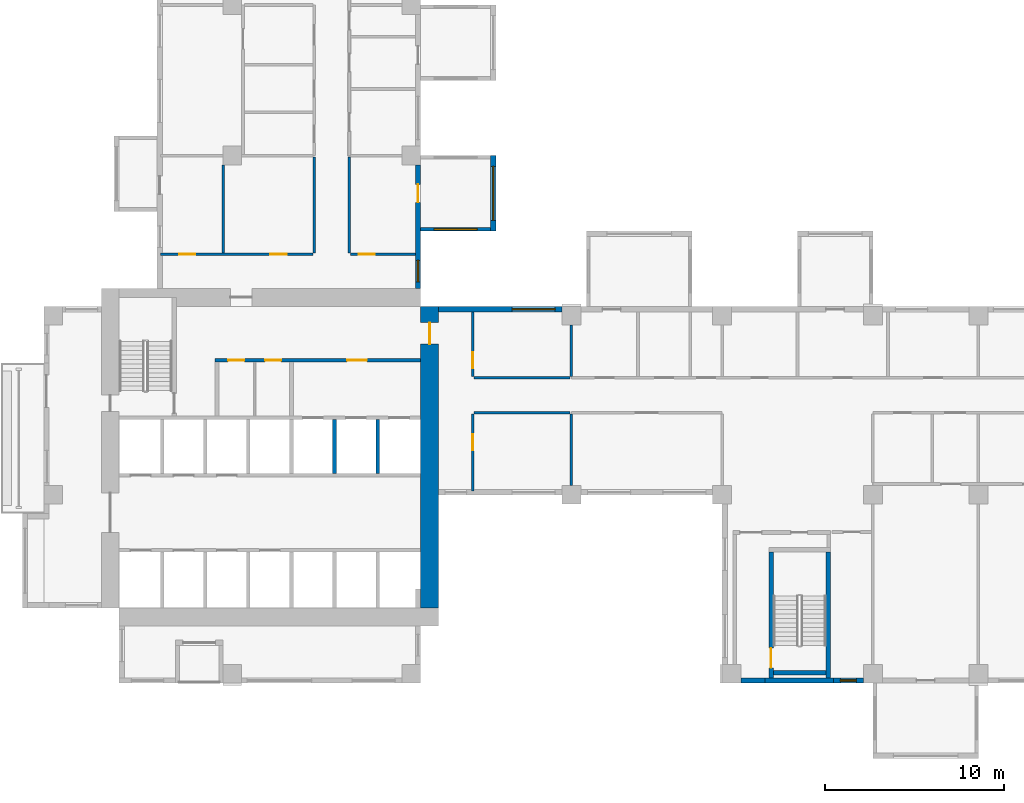
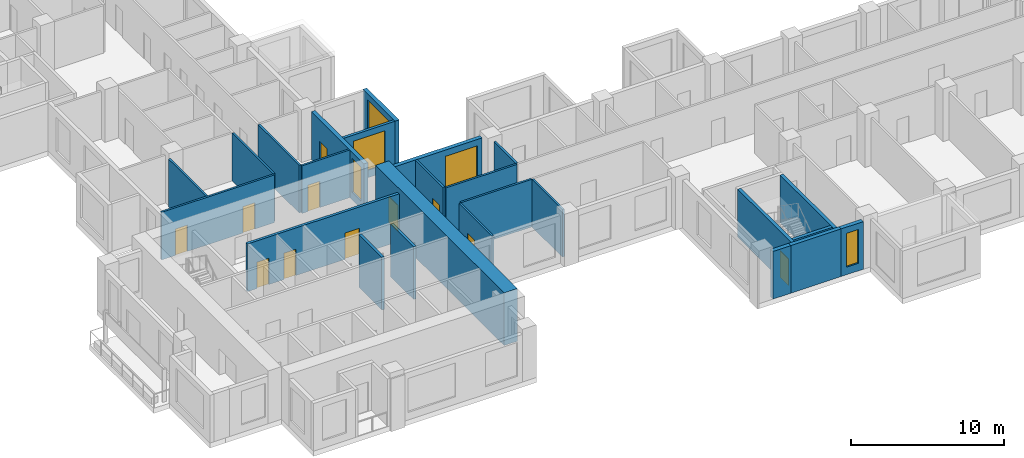
# One storey, part 3 of 14: 25 walls, 11 doors, 5 windows, 16 openings.
"""IFC4 building model written with IfcOpenShell, lengths in metres."""

from ifc_helpers import new_model, si_unit, direction, frame, frame_2d, origin, place, context, subcontext, project, spatial, rectangle, extrude, source, transform, mapped, material, layer, layer_set, type_object, element, fill, save


model = new_model("IFC4")

# Units and contexts
model_context = context("Model", 3, precision=1e-05, world=origin(), true_north=direction((0.0, 1.0)))
body_context = subcontext(model_context, "Body", "Model", "MODEL_VIEW")
ifc_project = project(units=[si_unit("LENGTHUNIT", "METRE"), si_unit("AREAUNIT", "SQUARE_METRE"), si_unit("VOLUMEUNIT", "CUBIC_METRE"), si_unit("PLANEANGLEUNIT", "RADIAN"), si_unit("MASSUNIT", "GRAM", prefix="KILO")], contexts=[model_context])

# Site, building, storey
site_placement = place(None, origin())
site = spatial("IfcSite", under=ifc_project, at=site_placement, CompositionType="ELEMENT")
building_placement = place(site_placement, origin())
building = spatial("IfcBuilding", under=site, at=building_placement, Name="Aurelian Terraces", CompositionType="ELEMENT")
storey_placement = place(building_placement, frame((0.0, 0.0, 149.7)))
storey = spatial("IfcBuildingStorey", under=building, at=storey_placement, Name="L33", CompositionType="ELEMENT", Elevation=149.7)

# Wall
ifc_material_1 = material(Name="Gypsum board on steel studs", Category="steel")
ifc_layer_1 = layer(ifc_material_1, 0.15)
ifc_layer_set_1 = layer_set([ifc_layer_1], Name="Partition 150")
wall_type_1 = type_object("IfcWallType", Name="Partition 150", PredefinedType="PARTITIONING", material=ifc_layer_set_1)
wall_1_placement = place(storey_placement, frame((10.0, 23.975, 0.0), z_axis=(0.0, 0.0, 1.0), x_axis=(0.0, 1.0, 0.0)))
element("IfcWall", 1, at=wall_1_placement, inside=storey, type_object=wall_type_1, Name="Partition", PredefinedType="PARTITIONING", context=body_context, shape_type="SweptSolid", body=[
    extrude(rectangle(XDim=4.901, YDim=0.15, at=frame_2d((2.4505, 0.0))), origin(), (0.0, 0.0, 1.0), 3.8),
])

# Wall, opening, door
ifc_material_2 = material(Name="Concrete fc' 83 MPa", Category="concrete")
ifc_layer_2 = layer(ifc_material_2, 1.0)
ifc_layer_set_2 = layer_set([ifc_layer_2], Name="CORE WALL 1000 FC83")
wall_type_2 = type_object("IfcWallType", Name="CORE WALL 1000 FC83", PredefinedType="SHEAR", material=ifc_layer_set_2)
shared_shape_1 = source(origin(), body_context, "Body", "SweptSolid", [
    extrude(rectangle(XDim=16.8, YDim=1.0, at=frame_2d((8.4, 0.0))), origin(), (0.0, 0.0, 1.0), 4.2),
])
wall_2_placement = place(storey_placement, frame((21.5, 4.2, 0.0), z_axis=(0.0, 0.0, 1.0), x_axis=(0.0, 1.0, 0.0)))
wall_2 = element("IfcWall", 2, at=wall_2_placement, inside=storey, type_object=wall_type_2, Name="Core wall E L33", PredefinedType="SHEAR", context=body_context, shape_type="MappedRepresentation", body=[
    mapped(shared_shape_1, transform((0.0, 0.0, 0.0), scale=1.0)),
])
shared_shape_2 = source(origin(), body_context, "Body", "SweptSolid", [
    extrude(rectangle(XDim=1.2, YDim=2.1, at=frame_2d((0.6, 1.05))), frame((0.0, 0.51, 0.0), z_axis=(0.0, -1.0, 0.0), x_axis=(1.0, 0.0, 0.0)), (0.0, 0.0, 1.0), 1.02),
])
opening_1_placement = place(wall_2_placement, frame((14.7, 0.0, 0.0)))
opening_1 = element("IfcOpeningElement", 3, at=opening_1_placement, cuts=wall_2, Name="Opening 63622", PredefinedType="OPENING", context=body_context, shape_type="MappedRepresentation", body=[
    mapped(shared_shape_2, transform((0.0, 0.0, 0.0), scale=1.0)),
])
ifc_material_3 = material(Name="Steel door leaf", Category="steel")
door_type_1 = type_object("IfcDoorType", Name="Core fire door 1200x2100", OperationType="SINGLE_SWING_LEFT", PredefinedType="DOOR", material=ifc_material_3)
shared_shape_3 = source(origin(), body_context, "Body", "SweptSolid", [
    extrude(rectangle(XDim=1.2, YDim=2.1, at=frame_2d((0.6, 1.05))), frame((0.0, 0.025, 0.0), z_axis=(0.0, -1.0, 0.0), x_axis=(1.0, 0.0, 0.0)), (0.0, 0.0, 1.0), 0.05),
])
door_1_placement = place(opening_1_placement, origin())
door_1 = element("IfcDoor", 4, at=door_1_placement, inside=storey, type_object=door_type_1, Name="Core door 63622", OperationType="SINGLE_SWING_LEFT", OverallHeight=2.1, OverallWidth=1.2, PredefinedType="DOOR", context=body_context, shape_type="MappedRepresentation", body=[
    mapped(shared_shape_3, transform((0.0, 0.0, 0.0), scale=1.0)),
])
fill(opening_1, door_1)

# Wall
ifc_material_4 = material(Name="Concrete fc' 40 MPa", Category="concrete")
ifc_layer_3 = layer(ifc_material_4, 0.3)
ifc_layer_set_3 = layer_set([ifc_layer_3], Name="STAIR BAY WALL 300")
wall_type_3 = type_object("IfcWallType", Name="STAIR BAY WALL 300", PredefinedType="SOLIDWALL", material=ifc_layer_set_3)
shared_shape_4 = source(origin(), body_context, "Body", "SweptSolid", [
    extrude(rectangle(XDim=3.8, YDim=0.3, at=frame_2d((1.9, 0.0))), origin(), (0.0, 0.0, 1.0), 3.8),
])
wall_3_placement = place(storey_placement, frame((40.2, 0.15, 0.0), z_axis=(0.0, 0.0, 1.0), x_axis=(1.0, 0.0, 0.0)))
element("IfcWall", 5, at=wall_3_placement, inside=storey, type_object=wall_type_3, Name="Stair bay wall L33 F05.9", PredefinedType="SOLIDWALL", context=body_context, shape_type="MappedRepresentation", body=[
    mapped(shared_shape_4, transform((0.0, 0.0, 0.0), scale=1.0)),
])

# Wall, opening, window
ifc_layer_4 = layer(ifc_material_4, 0.2)
ifc_layer_set_4 = layer_set([ifc_layer_4], Name="BOX BEARING WALL 200")
wall_type_4 = type_object("IfcWallType", Name="BOX BEARING WALL 200", PredefinedType="SOLIDWALL", material=ifc_layer_set_4)
shared_shape_5 = source(origin(), body_context, "Body", "SweptSolid", [
    extrude(rectangle(XDim=3.9, YDim=0.2, at=frame_2d((1.95, 0.0))), origin(), (0.0, 0.0, 1.0), 3.79),
])
wall_4_placement = place(storey_placement, frame((21.0, 25.3, 0.0), z_axis=(0.0, 0.0, 1.0), x_axis=(1.0, 0.0, 0.0)))
wall_4 = element("IfcWall", 6, at=wall_4_placement, inside=storey, type_object=wall_type_4, Name="Box return L33 J49.1", PredefinedType="SOLIDWALL", context=body_context, shape_type="MappedRepresentation", body=[
    mapped(shared_shape_5, transform((0.0, 0.0, 0.0), scale=1.0)),
])
shared_shape_6 = source(origin(), body_context, "Body", "SweptSolid", [
    extrude(rectangle(XDim=2.4, YDim=2.7, at=frame_2d((1.2, 1.35))), frame((0.0, 0.11, 0.0), z_axis=(0.0, -1.0, 0.0), x_axis=(1.0, 0.0, 0.0)), (0.0, 0.0, 1.0), 0.22),
])
opening_2_placement = place(wall_4_placement, frame((0.75, 0.0, 0.6)))
opening_2 = element("IfcOpeningElement", 7, at=opening_2_placement, cuts=wall_4, Name="Opening W2427", PredefinedType="OPENING", context=body_context, shape_type="MappedRepresentation", body=[
    mapped(shared_shape_6, transform((0.0, 0.0, 0.0), scale=1.0)),
])
ifc_material_5 = material(Name="Clear glazing", Category="glass")
window_type_1 = type_object("IfcWindowType", Name="W-2400x2700", PartitioningType="SINGLE_PANEL", PredefinedType="WINDOW", material=ifc_material_5)
shared_shape_7 = source(origin(), body_context, "Body", "SweptSolid", [
    extrude(rectangle(XDim=2.4, YDim=2.7, at=frame_2d((1.2, 1.35))), frame((0.0, 0.03, 0.0), z_axis=(0.0, -1.0, 0.0), x_axis=(1.0, 0.0, 0.0)), (0.0, 0.0, 1.0), 0.06),
])
window_1_placement = place(opening_2_placement, origin())
window_1 = element("IfcWindow", 8, at=window_1_placement, inside=storey, type_object=window_type_1, Name="Window L33 J49-S1", OverallHeight=2.7, OverallWidth=2.4, PartitioningType="SINGLE_PANEL", PredefinedType="WINDOW", context=body_context, shape_type="MappedRepresentation", body=[
    mapped(shared_shape_7, transform((0.0, 0.0, 0.0), scale=1.0)),
])
fill(opening_2, window_1)

ifc_layer_5 = layer(ifc_material_4, 0.3)
ifc_layer_set_5 = layer_set([ifc_layer_5], Name="BOX BEARING WALL 300")
wall_type_5 = type_object("IfcWallType", Name="BOX BEARING WALL 300", PredefinedType="SOLIDWALL", material=ifc_layer_set_5)
shared_shape_8 = source(origin(), body_context, "Body", "SweptSolid", [
    extrude(rectangle(XDim=4.2, YDim=0.3, at=frame_2d((2.1, 0.0))), origin(), (0.0, 0.0, 1.0), 3.79),
])
wall_5_placement = place(storey_placement, frame((25.05, 25.2, 0.0), z_axis=(0.0, 0.0, 1.0), x_axis=(0.0, 1.0, 0.0)))
wall_5 = element("IfcWall", 9, at=wall_5_placement, inside=storey, type_object=wall_type_5, Name="Box wall L33 J49", PredefinedType="SOLIDWALL", context=body_context, shape_type="MappedRepresentation", body=[
    mapped(shared_shape_8, transform((0.0, 0.0, 0.0), scale=1.0)),
])
shared_shape_9 = source(origin(), body_context, "Body", "SweptSolid", [
    extrude(rectangle(XDim=3.0, YDim=2.7, at=frame_2d((1.5, 1.35))), frame((0.0, 0.16, 0.0), z_axis=(0.0, -1.0, 0.0), x_axis=(1.0, 0.0, 0.0)), (0.0, 0.0, 1.0), 0.32),
])
opening_3_placement = place(wall_5_placement, frame((0.6, 0.0, 0.6)))
opening_3 = element("IfcOpeningElement", 10, at=opening_3_placement, cuts=wall_5, Name="Opening W3027", PredefinedType="OPENING", context=body_context, shape_type="MappedRepresentation", body=[
    mapped(shared_shape_9, transform((0.0, 0.0, 0.0), scale=1.0)),
])
window_type_2 = type_object("IfcWindowType", Name="W-3000x2700", PartitioningType="SINGLE_PANEL", PredefinedType="WINDOW", material=ifc_material_5)
shared_shape_10 = source(origin(), body_context, "Body", "SweptSolid", [
    extrude(rectangle(XDim=3.0, YDim=2.7, at=frame_2d((1.5, 1.35))), frame((0.0, 0.03, 0.0), z_axis=(0.0, -1.0, 0.0), x_axis=(1.0, 0.0, 0.0)), (0.0, 0.0, 1.0), 0.06),
])
window_2_placement = place(opening_3_placement, origin())
window_2 = element("IfcWindow", 11, at=window_2_placement, inside=storey, type_object=window_type_2, Name="Window L33 J49-F1", OverallHeight=2.7, OverallWidth=3.0, PartitioningType="SINGLE_PANEL", PredefinedType="WINDOW", context=body_context, shape_type="MappedRepresentation", body=[
    mapped(shared_shape_10, transform((0.0, 0.0, 0.0), scale=1.0)),
])
fill(opening_3, window_2)

ifc_material_6 = material(Name="Terracotta rainscreen cladding", Category="masonry")
ifc_layer_6 = layer(ifc_material_6, 0.3)
ifc_layer_set_6 = layer_set([ifc_layer_6], Name="EW-300")
wall_type_6 = type_object("IfcWallType", Name="EW-300", PredefinedType="STANDARD", material=ifc_layer_set_6)
shared_shape_11 = source(origin(), body_context, "Body", "SweptSolid", [
    extrude(rectangle(XDim=6.875, YDim=0.3, at=frame_2d((3.4375, 0.0))), origin(), (0.0, 0.0, 1.0), 3.8),
])
wall_6_placement = place(storey_placement, frame((28.875, 20.85, 0.0), z_axis=(0.0, 0.0, 1.0), x_axis=(-1.0, 0.0, 0.0)))
wall_6 = element("IfcWall", 12, at=wall_6_placement, inside=storey, type_object=wall_type_6, Name="External wall L33 F11.23", PredefinedType="STANDARD", context=body_context, shape_type="MappedRepresentation", body=[
    mapped(shared_shape_11, transform((0.0, 0.0, 0.0), scale=1.0)),
])
shared_shape_12 = source(origin(), body_context, "Body", "SweptSolid", [
    extrude(rectangle(XDim=2.4, YDim=2.7, at=frame_2d((1.2, 1.35))), frame((0.0, 0.16, 0.0), z_axis=(0.0, -1.0, 0.0), x_axis=(1.0, 0.0, 0.0)), (0.0, 0.0, 1.0), 0.32),
])
opening_4_placement = place(wall_6_placement, frame((0.375, 0.0, 0.6)))
opening_4 = element("IfcOpeningElement", 13, at=opening_4_placement, cuts=wall_6, Name="Opening W2427", PredefinedType="OPENING", context=body_context, shape_type="MappedRepresentation", body=[
    mapped(shared_shape_12, transform((0.0, 0.0, 0.0), scale=1.0)),
])
window_3_placement = place(opening_4_placement, origin())
window_3 = element("IfcWindow", 14, at=window_3_placement, inside=storey, type_object=window_type_1, Name="Window L33 L33-F11-23-3", OverallHeight=2.7, OverallWidth=2.4, PartitioningType="SINGLE_PANEL", PredefinedType="WINDOW", context=body_context, shape_type="MappedRepresentation", body=[
    mapped(shared_shape_7, transform((0.0, 0.0, 0.0), scale=1.0)),
])
fill(opening_4, window_3)

# Wall, openings, window, door
wall_7_placement = place(storey_placement, frame((20.85, 22.0, 0.0), z_axis=(0.0, 0.0, 1.0), x_axis=(0.0, 1.0, 0.0)))
wall_7 = element("IfcWall", 15, at=wall_7_placement, inside=storey, type_object=wall_type_6, Name="External wall L33 F12.24", PredefinedType="STANDARD", context=body_context, shape_type="MappedRepresentation", body=[
    mapped(shared_shape_11, transform((0.0, 0.0, 0.0), scale=1.0)),
])
shared_shape_13 = source(origin(), body_context, "Body", "SweptSolid", [
    extrude(rectangle(XDim=1.2, YDim=2.7, at=frame_2d((0.6, 1.35))), frame((0.0, 0.16, 0.0), z_axis=(0.0, -1.0, 0.0), x_axis=(1.0, 0.0, 0.0)), (0.0, 0.0, 1.0), 0.32),
])
opening_5_placement = place(wall_7_placement, frame((0.3625, 0.0, 0.6)))
opening_5 = element("IfcOpeningElement", 16, at=opening_5_placement, cuts=wall_7, Name="Opening W1227", PredefinedType="OPENING", context=body_context, shape_type="MappedRepresentation", body=[
    mapped(shared_shape_13, transform((0.0, 0.0, 0.0), scale=1.0)),
])
shared_shape_14 = source(origin(), body_context, "Body", "SweptSolid", [
    extrude(rectangle(XDim=1.0, YDim=2.1, at=frame_2d((0.5, 1.05))), frame((0.0, 0.16, 0.0), z_axis=(0.0, -1.0, 0.0), x_axis=(1.0, 0.0, 0.0)), (0.0, 0.0, 1.0), 0.32),
])
opening_6_placement = place(wall_7_placement, frame((4.8, 0.0, 0.0)))
opening_6 = element("IfcOpeningElement", 17, at=opening_6_placement, cuts=wall_7, Name="Opening 833005", PredefinedType="OPENING", context=body_context, shape_type="MappedRepresentation", body=[
    mapped(shared_shape_14, transform((0.0, 0.0, 0.0), scale=1.0)),
])
window_type_3 = type_object("IfcWindowType", Name="W-1200x2700", PartitioningType="SINGLE_PANEL", PredefinedType="WINDOW", material=ifc_material_5)
shared_shape_15 = source(origin(), body_context, "Body", "SweptSolid", [
    extrude(rectangle(XDim=1.2, YDim=2.7, at=frame_2d((0.6, 1.35))), frame((0.0, 0.03, 0.0), z_axis=(0.0, -1.0, 0.0), x_axis=(1.0, 0.0, 0.0)), (0.0, 0.0, 1.0), 0.06),
])
window_4_placement = place(opening_5_placement, origin())
window_4 = element("IfcWindow", 18, at=window_4_placement, inside=storey, type_object=window_type_3, Name="Window L33 L33-F12-24-0", OverallHeight=2.7, OverallWidth=1.2, PartitioningType="SINGLE_PANEL", PredefinedType="WINDOW", context=body_context, shape_type="MappedRepresentation", body=[
    mapped(shared_shape_15, transform((0.0, 0.0, 0.0), scale=1.0)),
])
fill(opening_5, window_4)
ifc_material_7 = material(Name="Timber door leaf", Category="wood")
door_type_2 = type_object("IfcDoorType", Name="Room door 1000x2100 left", OperationType="SINGLE_SWING_LEFT", PredefinedType="DOOR", material=ifc_material_7)
shared_shape_16 = source(origin(), body_context, "Body", "SweptSolid", [
    extrude(rectangle(XDim=1.0, YDim=2.1, at=frame_2d((0.5, 1.05))), frame((0.0, 0.025, 0.0), z_axis=(0.0, -1.0, 0.0), x_axis=(1.0, 0.0, 0.0)), (0.0, 0.0, 1.0), 0.05),
])
door_2_placement = place(opening_6_placement, origin())
door_2 = element("IfcDoor", 19, at=door_2_placement, inside=storey, type_object=door_type_2, Name="Door 833005", OperationType="SINGLE_SWING_LEFT", OverallHeight=2.1, OverallWidth=1.0, PredefinedType="DOOR", context=body_context, shape_type="MappedRepresentation", body=[
    mapped(shared_shape_16, transform((0.0, 0.0, 0.0), scale=1.0)),
])
fill(opening_6, door_2)

# Wall, opening, window
shared_shape_17 = source(origin(), body_context, "Body", "SweptSolid", [
    extrude(rectangle(XDim=1.675, YDim=0.3, at=frame_2d((0.8375, 0.0))), origin(), (0.0, 0.0, 1.0), 3.8),
])
wall_8_placement = place(storey_placement, frame((44.0, 0.15, 0.0), z_axis=(0.0, 0.0, 1.0), x_axis=(1.0, 0.0, 0.0)))
wall_8 = element("IfcWall", 20, at=wall_8_placement, inside=storey, type_object=wall_type_6, Name="External wall L33 F05.9", PredefinedType="STANDARD", context=body_context, shape_type="MappedRepresentation", body=[
    mapped(shared_shape_17, transform((0.0, 0.0, 0.0), scale=1.0)),
])
shared_shape_18 = source(origin(), body_context, "Body", "SweptSolid", [
    extrude(rectangle(XDim=0.9, YDim=2.7, at=frame_2d((0.45, 1.35))), frame((0.0, 0.16, 0.0), z_axis=(0.0, -1.0, 0.0), x_axis=(1.0, 0.0, 0.0)), (0.0, 0.0, 1.0), 0.32),
])
opening_7_placement = place(wall_8_placement, frame((0.3875, 0.0, 0.6)))
opening_7 = element("IfcOpeningElement", 21, at=opening_7_placement, cuts=wall_8, Name="Opening W0927", PredefinedType="OPENING", context=body_context, shape_type="MappedRepresentation", body=[
    mapped(shared_shape_18, transform((0.0, 0.0, 0.0), scale=1.0)),
])
window_type_4 = type_object("IfcWindowType", Name="W-900x2700", PartitioningType="SINGLE_PANEL", PredefinedType="WINDOW", material=ifc_material_5)
shared_shape_19 = source(origin(), body_context, "Body", "SweptSolid", [
    extrude(rectangle(XDim=0.9, YDim=2.7, at=frame_2d((0.45, 1.35))), frame((0.0, 0.03, 0.0), z_axis=(0.0, -1.0, 0.0), x_axis=(1.0, 0.0, 0.0)), (0.0, 0.0, 1.0), 0.06),
])
window_5_placement = place(opening_7_placement, origin())
window_5 = element("IfcWindow", 22, at=window_5_placement, inside=storey, type_object=window_type_4, Name="Window L33 L33-F05-09-P2", OverallHeight=2.7, OverallWidth=0.9, PartitioningType="SINGLE_PANEL", PredefinedType="WINDOW", context=body_context, shape_type="MappedRepresentation", body=[
    mapped(shared_shape_19, transform((0.0, 0.0, 0.0), scale=1.0)),
])
fill(opening_7, window_5)

# Walls
shared_shape_20 = source(origin(), body_context, "Body", "SweptSolid", [
    extrude(rectangle(XDim=1.35, YDim=0.3, at=frame_2d((0.675, 0.0))), origin(), (0.0, 0.0, 1.0), 3.8),
])
wall_9_placement = place(storey_placement, frame((38.85, 0.15, 0.0), z_axis=(0.0, 0.0, 1.0), x_axis=(1.0, 0.0, 0.0)))
element("IfcWall", 23, at=wall_9_placement, inside=storey, type_object=wall_type_6, Name="External wall L33 F05.9", PredefinedType="STANDARD", context=body_context, shape_type="MappedRepresentation", body=[
    mapped(shared_shape_20, transform((0.0, 0.0, 0.0), scale=1.0)),
])
ifc_layer_7 = layer(ifc_material_4, 0.2)
ifc_layer_set_7 = layer_set([ifc_layer_7], Name="Lift shaft wall 200")
wall_type_7 = type_object("IfcWallType", Name="Lift shaft wall 200", PredefinedType="SOLIDWALL", material=ifc_layer_set_7)
shared_shape_21 = source(origin(), body_context, "Body", "SweptSolid", [
    extrude(rectangle(XDim=3.0, YDim=0.2, at=frame_2d((1.5, 0.0))), origin(), (0.0, 0.0, 1.0), 4.2),
])
for number, where, z_axis, x_axis, name in (
    (24, (16.2, 11.7, 0.0), (0.0, 0.0, 1.0), (0.0, 1.0, 0.0), "L33 core wall CD-B5"),
    (25, (18.6, 11.7, 0.0), (0.0, 0.0, 1.0), (0.0, 1.0, 0.0), "L33 core wall CD-B6"),
):
    element("IfcWall", number, at=place(storey_placement, frame(where, z_axis=z_axis, x_axis=x_axis)), inside=storey, type_object=wall_type_7, Name=name, PredefinedType="SOLIDWALL", context=body_context, shape_type="MappedRepresentation", body=[
        mapped(shared_shape_21, transform((0.0, 0.0, 0.0), scale=1.0)),
    ])

# Wall, opening, door
ifc_layer_8 = layer(ifc_material_4, 0.25)
ifc_layer_set_8 = layer_set([ifc_layer_8], Name="Stair enclosure wall 250")
wall_type_8 = type_object("IfcWallType", Name="Stair enclosure wall 250", PredefinedType="SOLIDWALL", material=ifc_layer_set_8)
shared_shape_22 = source(origin(), body_context, "Body", "SweptSolid", [
    extrude(rectangle(XDim=7.0, YDim=0.25, at=frame_2d((3.5, 0.0))), origin(), (0.0, 0.0, 1.0), 3.8),
])
wall_10_placement = place(storey_placement, frame((40.525, 0.3, 0.0), z_axis=(0.0, 0.0, 1.0), x_axis=(0.0, 1.0, 0.0)))
wall_10 = element("IfcWall", 26, at=wall_10_placement, inside=storey, type_object=wall_type_8, Name="L33 core wall ST-S2-W", PredefinedType="SOLIDWALL", context=body_context, shape_type="MappedRepresentation", body=[
    mapped(shared_shape_22, transform((0.0, 0.0, 0.0), scale=1.0)),
])
shared_shape_23 = source(origin(), body_context, "Body", "SweptSolid", [
    extrude(rectangle(XDim=1.1, YDim=2.1, at=frame_2d((0.55, 1.05))), frame((0.0, 0.135, 0.0), z_axis=(0.0, -1.0, 0.0), x_axis=(1.0, 0.0, 0.0)), (0.0, 0.0, 1.0), 0.27),
])
opening_8_placement = place(wall_10_placement, frame((0.55, 0.0, 0.0)))
opening_8 = element("IfcOpeningElement", 27, at=opening_8_placement, cuts=wall_10, Name="Opening 63614", PredefinedType="OPENING", context=body_context, shape_type="MappedRepresentation", body=[
    mapped(shared_shape_23, transform((0.0, 0.0, 0.0), scale=1.0)),
])
door_type_3 = type_object("IfcDoorType", Name="Core fire door 1100x2100", OperationType="SINGLE_SWING_LEFT", PredefinedType="DOOR", material=ifc_material_3)
shared_shape_24 = source(origin(), body_context, "Body", "SweptSolid", [
    extrude(rectangle(XDim=1.1, YDim=2.1, at=frame_2d((0.55, 1.05))), frame((0.0, 0.025, 0.0), z_axis=(0.0, -1.0, 0.0), x_axis=(1.0, 0.0, 0.0)), (0.0, 0.0, 1.0), 0.05),
])
door_3_placement = place(opening_8_placement, origin())
door_3 = element("IfcDoor", 28, at=door_3_placement, inside=storey, type_object=door_type_3, Name="Stair door 63614", OperationType="SINGLE_SWING_LEFT", OverallHeight=2.1, OverallWidth=1.1, PredefinedType="DOOR", context=body_context, shape_type="MappedRepresentation", body=[
    mapped(shared_shape_24, transform((0.0, 0.0, 0.0), scale=1.0)),
])
fill(opening_8, door_3)

# Walls
wall_11_placement = place(storey_placement, frame((43.725, 0.3, 0.0), z_axis=(0.0, 0.0, 1.0), x_axis=(0.0, 1.0, 0.0)))
element("IfcWall", 29, at=wall_11_placement, inside=storey, type_object=wall_type_8, Name="L33 core wall ST-S2-E", PredefinedType="SOLIDWALL", context=body_context, shape_type="MappedRepresentation", body=[
    mapped(shared_shape_22, transform((0.0, 0.0, 0.0), scale=1.0)),
])
shared_shape_25 = source(origin(), body_context, "Body", "SweptSolid", [
    extrude(rectangle(XDim=2.95, YDim=0.25, at=frame_2d((1.475, 0.0))), origin(), (0.0, 0.0, 1.0), 3.8),
])
wall_12_placement = place(storey_placement, frame((40.65, 0.575, 0.0), z_axis=(0.0, 0.0, 1.0), x_axis=(1.0, 0.0, 0.0)))
element("IfcWall", 30, at=wall_12_placement, inside=storey, type_object=wall_type_8, Name="L33 core wall ST-S2-SS", PredefinedType="SOLIDWALL", context=body_context, shape_type="MappedRepresentation", body=[
    mapped(shared_shape_25, transform((0.0, 0.0, 0.0), scale=1.0)),
])

# Wall, openings, doors
ifc_layer_9 = layer(ifc_material_1, 0.2)
ifc_layer_set_9 = layer_set([ifc_layer_9], Name="Core partition 200")
wall_type_9 = type_object("IfcWallType", Name="Core partition 200", PredefinedType="PARTITIONING", material=ifc_layer_set_9)
shared_shape_26 = source(origin(), body_context, "Body", "SweptSolid", [
    extrude(rectangle(XDim=11.45, YDim=0.2, at=frame_2d((5.725, 0.0))), origin(), (0.0, 0.0, 1.0), 3.8),
])
wall_13_placement = place(storey_placement, frame((9.55, 18.0, 0.0), z_axis=(0.0, 0.0, 1.0), x_axis=(1.0, 0.0, 0.0)))
wall_13 = element("IfcWall", 31, at=wall_13_placement, inside=storey, type_object=wall_type_9, Name="L33 core wall CP-NORTH", PredefinedType="PARTITIONING", context=body_context, shape_type="MappedRepresentation", body=[
    mapped(shared_shape_26, transform((0.0, 0.0, 0.0), scale=1.0)),
])
shared_shape_27 = source(origin(), body_context, "Body", "SweptSolid", [
    extrude(rectangle(XDim=0.9, YDim=2.1, at=frame_2d((0.45, 1.05))), frame((0.0, 0.11, 0.0), z_axis=(0.0, -1.0, 0.0), x_axis=(1.0, 0.0, 0.0)), (0.0, 0.0, 1.0), 0.22),
])
opening_9_placement = place(wall_13_placement, frame((0.725, 0.0, 0.0)))
opening_9 = element("IfcOpeningElement", 32, at=opening_9_placement, cuts=wall_13, Name="Opening 63611", PredefinedType="OPENING", context=body_context, shape_type="MappedRepresentation", body=[
    mapped(shared_shape_27, transform((0.0, 0.0, 0.0), scale=1.0)),
])
opening_10_placement = place(wall_13_placement, frame((2.775, 0.0, 0.0)))
opening_10 = element("IfcOpeningElement", 33, at=opening_10_placement, cuts=wall_13, Name="Opening 63612", PredefinedType="OPENING", context=body_context, shape_type="MappedRepresentation", body=[
    mapped(shared_shape_27, transform((0.0, 0.0, 0.0), scale=1.0)),
])
shared_shape_28 = source(origin(), body_context, "Body", "SweptSolid", [
    extrude(rectangle(XDim=1.1, YDim=2.1, at=frame_2d((0.55, 1.05))), frame((0.0, 0.11, 0.0), z_axis=(0.0, -1.0, 0.0), x_axis=(1.0, 0.0, 0.0)), (0.0, 0.0, 1.0), 0.22),
])
opening_11_placement = place(wall_13_placement, frame((7.35, 0.0, 0.0)))
opening_11 = element("IfcOpeningElement", 34, at=opening_11_placement, cuts=wall_13, Name="Opening 63613", PredefinedType="OPENING", context=body_context, shape_type="MappedRepresentation", body=[
    mapped(shared_shape_28, transform((0.0, 0.0, 0.0), scale=1.0)),
])
door_type_4 = type_object("IfcDoorType", Name="Core service door 900x2100 right", OperationType="SINGLE_SWING_RIGHT", PredefinedType="DOOR", material=ifc_material_3)
shared_shape_29 = source(origin(), body_context, "Body", "SweptSolid", [
    extrude(rectangle(XDim=0.9, YDim=2.1, at=frame_2d((0.45, 1.05))), frame((0.0, 0.025, 0.0), z_axis=(0.0, -1.0, 0.0), x_axis=(1.0, 0.0, 0.0)), (0.0, 0.0, 1.0), 0.05),
])
door_4_placement = place(opening_9_placement, origin())
door_4 = element("IfcDoor", 35, at=door_4_placement, inside=storey, type_object=door_type_4, Name="Room door 63611", OperationType="SINGLE_SWING_RIGHT", OverallHeight=2.1, OverallWidth=0.9, PredefinedType="DOOR", context=body_context, shape_type="MappedRepresentation", body=[
    mapped(shared_shape_29, transform((0.0, 0.0, 0.0), scale=1.0)),
])
fill(opening_9, door_4)
door_type_5 = type_object("IfcDoorType", Name="Core service door 900x2100", OperationType="SINGLE_SWING_LEFT", PredefinedType="DOOR", material=ifc_material_3)
door_5_placement = place(opening_10_placement, origin())
door_5 = element("IfcDoor", 36, at=door_5_placement, inside=storey, type_object=door_type_5, Name="Room door 63612", OperationType="SINGLE_SWING_LEFT", OverallHeight=2.1, OverallWidth=0.9, PredefinedType="DOOR", context=body_context, shape_type="MappedRepresentation", body=[
    mapped(shared_shape_29, transform((0.0, 0.0, 0.0), scale=1.0)),
])
fill(opening_10, door_5)
door_type_6 = type_object("IfcDoorType", Name="Core fire door 1100x2100 right", OperationType="SINGLE_SWING_RIGHT", PredefinedType="DOOR", material=ifc_material_3)
door_6_placement = place(opening_11_placement, origin())
door_6 = element("IfcDoor", 37, at=door_6_placement, inside=storey, type_object=door_type_6, Name="Ff lobby door 63613", OperationType="SINGLE_SWING_RIGHT", OverallHeight=2.1, OverallWidth=1.1, PredefinedType="DOOR", context=body_context, shape_type="MappedRepresentation", body=[
    mapped(shared_shape_24, transform((0.0, 0.0, 0.0), scale=1.0)),
])
fill(opening_11, door_6)

# Wall, opening, door
shared_shape_30 = source(origin(), body_context, "Body", "SweptSolid", [
    extrude(rectangle(XDim=3.6, YDim=0.15, at=frame_2d((1.8, 0.0))), origin(), (0.0, 0.0, 1.0), 3.8),
])
wall_14_placement = place(storey_placement, frame((23.9, 20.7, 0.0), z_axis=(0.0, 0.0, 1.0), x_axis=(0.0, -1.0, 0.0)))
wall_14 = element("IfcWall", 38, at=wall_14_placement, inside=storey, type_object=wall_type_1, Name="Partition", PredefinedType="PARTITIONING", context=body_context, shape_type="MappedRepresentation", body=[
    mapped(shared_shape_30, transform((0.0, 0.0, 0.0), scale=1.0)),
])
shared_shape_31 = source(origin(), body_context, "Body", "SweptSolid", [
    extrude(rectangle(XDim=0.9, YDim=2.1, at=frame_2d((0.45, 1.05))), frame((0.0, 0.085, 0.0), z_axis=(0.0, -1.0, 0.0), x_axis=(1.0, 0.0, 0.0)), (0.0, 0.0, 1.0), 0.17),
])
opening_12_placement = place(wall_14_placement, frame((2.25, 0.0, 0.0)))
opening_12 = element("IfcOpeningElement", 39, at=opening_12_placement, cuts=wall_14, Name="Opening 733002", PredefinedType="OPENING", context=body_context, shape_type="MappedRepresentation", body=[
    mapped(shared_shape_31, transform((0.0, 0.0, 0.0), scale=1.0)),
])
door_type_7 = type_object("IfcDoorType", Name="Room door 900x2100 right", OperationType="SINGLE_SWING_RIGHT", PredefinedType="DOOR", material=ifc_material_7)
door_7_placement = place(opening_12_placement, origin())
door_7 = element("IfcDoor", 40, at=door_7_placement, inside=storey, type_object=door_type_7, Name="Door 733002", OperationType="SINGLE_SWING_RIGHT", OverallHeight=2.1, OverallWidth=0.9, PredefinedType="DOOR", context=body_context, shape_type="MappedRepresentation", body=[
    mapped(shared_shape_29, transform((0.0, 0.0, 0.0), scale=1.0)),
])
fill(opening_12, door_7)

wall_15_placement = place(storey_placement, frame((17.1, 23.9, 0.0), z_axis=(0.0, 0.0, 1.0), x_axis=(1.0, 0.0, 0.0)))
wall_15 = element("IfcWall", 41, at=wall_15_placement, inside=storey, type_object=wall_type_1, Name="Partition", PredefinedType="PARTITIONING", context=body_context, shape_type="MappedRepresentation", body=[
    mapped(shared_shape_30, transform((0.0, 0.0, 0.0), scale=1.0)),
])
opening_13_placement = place(wall_15_placement, frame((0.45, 0.0, 0.0)))
opening_13 = element("IfcOpeningElement", 42, at=opening_13_placement, cuts=wall_15, Name="Opening 733023", PredefinedType="OPENING", context=body_context, shape_type="MappedRepresentation", body=[
    mapped(shared_shape_31, transform((0.0, 0.0, 0.0), scale=1.0)),
])
door_8_placement = place(opening_13_placement, origin())
door_8 = element("IfcDoor", 43, at=door_8_placement, inside=storey, type_object=door_type_7, Name="Door 733023", OperationType="SINGLE_SWING_RIGHT", OverallHeight=2.1, OverallWidth=0.9, PredefinedType="DOOR", context=body_context, shape_type="MappedRepresentation", body=[
    mapped(shared_shape_29, transform((0.0, 0.0, 0.0), scale=1.0)),
])
fill(opening_13, door_8)

shared_shape_32 = source(origin(), body_context, "Body", "SweptSolid", [
    extrude(rectangle(XDim=4.295, YDim=0.15, at=frame_2d((2.1475, 0.0))), origin(), (0.0, 0.0, 1.0), 3.8),
])
wall_16_placement = place(storey_placement, frame((23.9, 15.0, 0.0), z_axis=(0.0, 0.0, 1.0), x_axis=(0.0, -1.0, 0.0)))
wall_16 = element("IfcWall", 44, at=wall_16_placement, inside=storey, type_object=wall_type_1, Name="Partition", PredefinedType="PARTITIONING", context=body_context, shape_type="MappedRepresentation", body=[
    mapped(shared_shape_32, transform((0.0, 0.0, 0.0), scale=1.0)),
])
opening_14_placement = place(wall_16_placement, frame((1.1125, 0.0, 0.0)))
opening_14 = element("IfcOpeningElement", 45, at=opening_14_placement, cuts=wall_16, Name="Opening 733001", PredefinedType="OPENING", context=body_context, shape_type="MappedRepresentation", body=[
    mapped(shared_shape_31, transform((0.0, 0.0, 0.0), scale=1.0)),
])
door_type_8 = type_object("IfcDoorType", Name="Room door 900x2100 left", OperationType="SINGLE_SWING_LEFT", PredefinedType="DOOR", material=ifc_material_7)
door_9_placement = place(opening_14_placement, origin())
door_9 = element("IfcDoor", 46, at=door_9_placement, inside=storey, type_object=door_type_8, Name="Door 733001", OperationType="SINGLE_SWING_LEFT", OverallHeight=2.1, OverallWidth=0.9, PredefinedType="DOOR", context=body_context, shape_type="MappedRepresentation", body=[
    mapped(shared_shape_29, transform((0.0, 0.0, 0.0), scale=1.0)),
])
fill(opening_14, door_9)

# Walls
shared_shape_33 = source(origin(), body_context, "Body", "SweptSolid", [
    extrude(rectangle(XDim=3.976, YDim=0.15, at=frame_2d((1.988, 0.0))), origin(), (0.0, 0.0, 1.0), 3.8),
])
wall_17_placement = place(storey_placement, frame((29.4, 11.024, 0.0), z_axis=(0.0, 0.0, 1.0), x_axis=(0.0, 1.0, 0.0)))
element("IfcWall", 47, at=wall_17_placement, inside=storey, type_object=wall_type_1, Name="Partition", PredefinedType="PARTITIONING", context=body_context, shape_type="MappedRepresentation", body=[
    mapped(shared_shape_33, transform((0.0, 0.0, 0.0), scale=1.0)),
])
shared_shape_34 = source(origin(), body_context, "Body", "SweptSolid", [
    extrude(rectangle(XDim=2.851, YDim=0.15, at=frame_2d((1.4255, 0.0))), origin(), (0.0, 0.0, 1.0), 3.8),
])
wall_18_placement = place(storey_placement, frame((29.4, 17.1, 0.0), z_axis=(0.0, 0.0, 1.0), x_axis=(0.0, 1.0, 0.0)))
element("IfcWall", 48, at=wall_18_placement, inside=storey, type_object=wall_type_1, Name="Partition", PredefinedType="PARTITIONING", context=body_context, shape_type="MappedRepresentation", body=[
    mapped(shared_shape_34, transform((0.0, 0.0, 0.0), scale=1.0)),
])

# Wall, openings, doors
shared_shape_35 = source(origin(), body_context, "Body", "SweptSolid", [
    extrude(rectangle(XDim=8.495, YDim=0.15, at=frame_2d((4.2475, 0.0))), origin(), (0.0, 0.0, 1.0), 3.8),
])
wall_19_placement = place(storey_placement, frame((6.505, 23.9, 0.0), z_axis=(0.0, 0.0, 1.0), x_axis=(1.0, 0.0, 0.0)))
wall_19 = element("IfcWall", 49, at=wall_19_placement, inside=storey, type_object=wall_type_1, Name="Partition", PredefinedType="PARTITIONING", context=body_context, shape_type="MappedRepresentation", body=[
    mapped(shared_shape_35, transform((0.0, 0.0, 0.0), scale=1.0)),
])
opening_15_placement = place(wall_19_placement, frame((1.045, 0.0, 0.0)))
opening_15 = element("IfcOpeningElement", 50, at=opening_15_placement, cuts=wall_19, Name="Opening 733021", PredefinedType="OPENING", context=body_context, shape_type="MappedRepresentation", body=[
    mapped(shared_shape_31, transform((0.0, 0.0, 0.0), scale=1.0)),
])
opening_16_placement = place(wall_19_placement, frame((6.12, 0.0, 0.0)))
opening_16 = element("IfcOpeningElement", 51, at=opening_16_placement, cuts=wall_19, Name="Opening 733022", PredefinedType="OPENING", context=body_context, shape_type="MappedRepresentation", body=[
    mapped(shared_shape_31, transform((0.0, 0.0, 0.0), scale=1.0)),
])
door_10_placement = place(opening_15_placement, origin())
door_10 = element("IfcDoor", 52, at=door_10_placement, inside=storey, type_object=door_type_7, Name="Door 733021", OperationType="SINGLE_SWING_RIGHT", OverallHeight=2.1, OverallWidth=0.9, PredefinedType="DOOR", context=body_context, shape_type="MappedRepresentation", body=[
    mapped(shared_shape_29, transform((0.0, 0.0, 0.0), scale=1.0)),
])
fill(opening_15, door_10)
door_11_placement = place(opening_16_placement, origin())
door_11 = element("IfcDoor", 53, at=door_11_placement, inside=storey, type_object=door_type_8, Name="Door 733022", OperationType="SINGLE_SWING_LEFT", OverallHeight=2.1, OverallWidth=0.9, PredefinedType="DOOR", context=body_context, shape_type="MappedRepresentation", body=[
    mapped(shared_shape_29, transform((0.0, 0.0, 0.0), scale=1.0)),
])
fill(opening_16, door_11)

# Walls
ifc_layer_10 = layer(ifc_material_1, 0.15)
ifc_layer_set_10 = layer_set([ifc_layer_10], Name="Fire partition 150")
wall_type_10 = type_object("IfcWallType", Name="Fire partition 150", PredefinedType="PARTITIONING", material=ifc_layer_set_10)
shared_shape_36 = source(origin(), body_context, "Body", "SweptSolid", [
    extrude(rectangle(XDim=5.35, YDim=0.15, at=frame_2d((2.675, 0.0))), origin(), (0.0, 0.0, 1.0), 3.8),
])
for number, where, z_axis, x_axis, name in (
    (54, (29.325, 15.075, 0.0), (0.0, 0.0, 1.0), (-1.0, 0.0, 0.0), "Corridor wall"),
    (55, (23.975, 17.025, 0.0), (0.0, 0.0, 1.0), (1.0, 0.0, 0.0), "Corridor wall"),
    (56, (15.075, 23.975, 0.0), (0.0, 0.0, 1.0), (0.0, 1.0, 0.0), "Corridor wall"),
    (57, (17.025, 29.325, 0.0), (0.0, 0.0, 1.0), (0.0, -1.0, 0.0), "Corridor wall"),
):
    element("IfcWall", number, at=place(storey_placement, frame(where, z_axis=z_axis, x_axis=x_axis)), inside=storey, type_object=wall_type_10, Name=name, PredefinedType="PARTITIONING", context=body_context, shape_type="MappedRepresentation", body=[
        mapped(shared_shape_36, transform((0.0, 0.0, 0.0), scale=1.0)),
    ])

save(model, "model.ifc")
